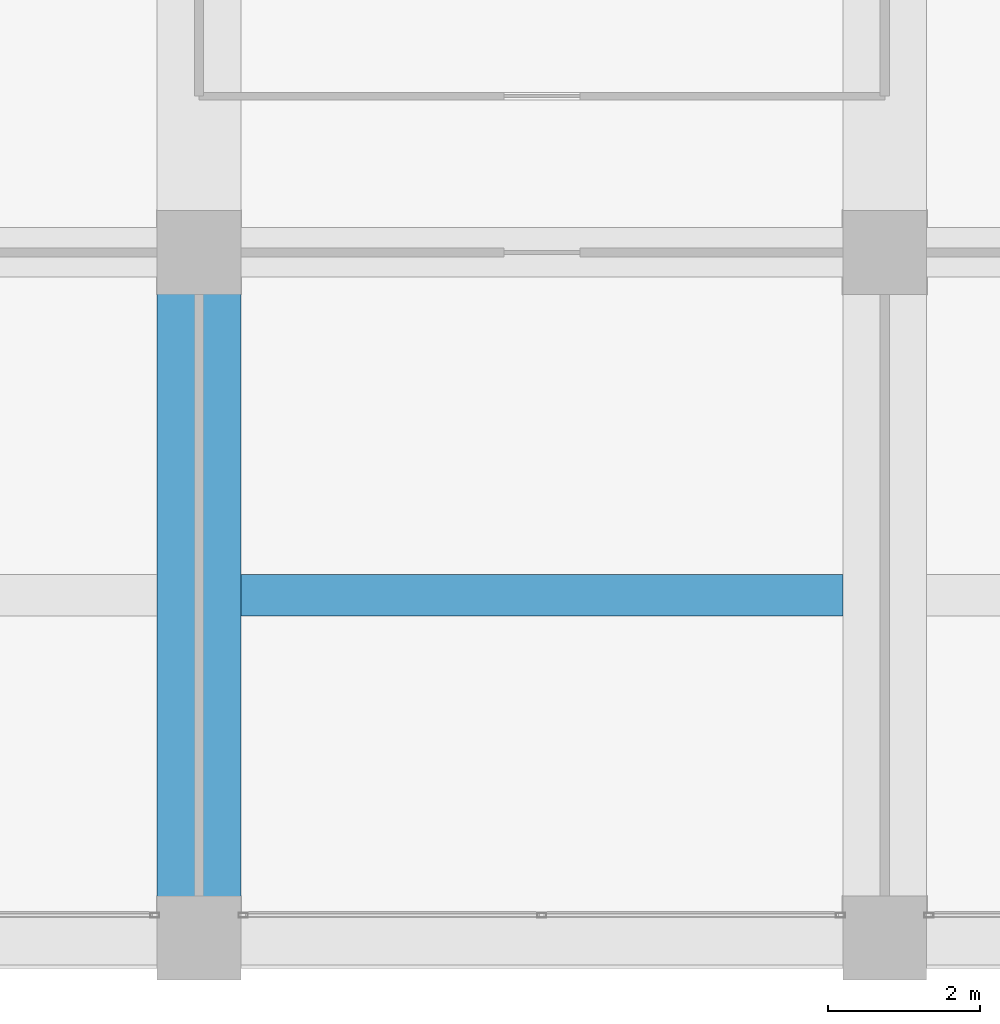
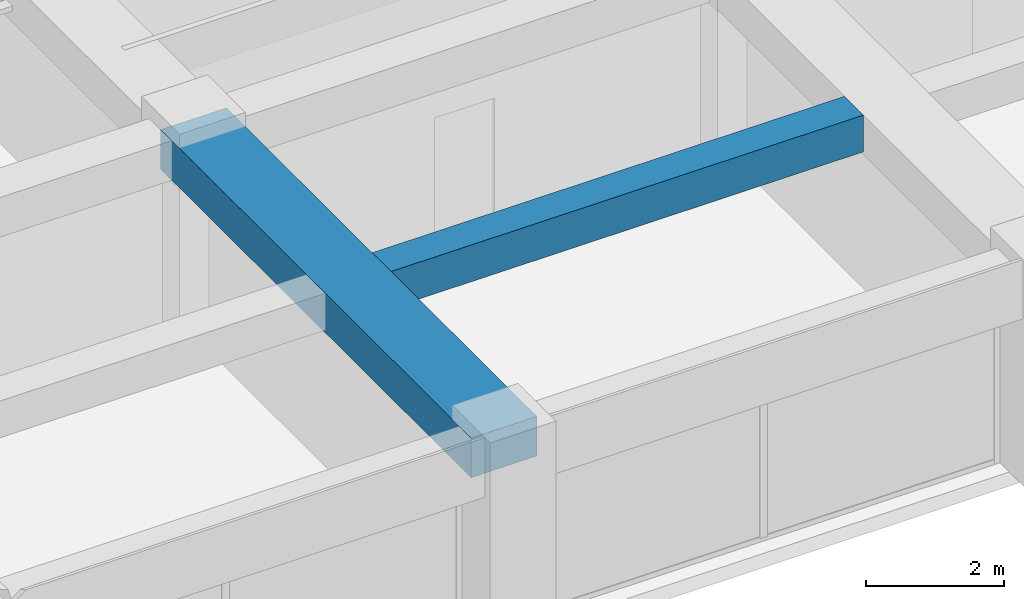
# One storey, part 10 of 45: 2 beams.
"""IFC4 building model written with IfcOpenShell, lengths in metres."""

from ifc_helpers import new_model, si_unit, direction, frame, origin, origin_2d, place, context, subcontext, project, spatial, rectangle, extrude, material, material_profile, profile_set, type_object, element, save


model = new_model("IFC4")

# Units and contexts
model_context = context("Model", 3, precision=1e-05, world=origin(), true_north=direction((0.0, 1.0)))
body_context = subcontext(model_context, "Body", "Model", "MODEL_VIEW")
ifc_project = project(units=[si_unit("LENGTHUNIT", "METRE"), si_unit("AREAUNIT", "SQUARE_METRE"), si_unit("VOLUMEUNIT", "CUBIC_METRE"), si_unit("PLANEANGLEUNIT", "RADIAN"), si_unit("MASSUNIT", "GRAM", prefix="KILO")], contexts=[model_context])

# Site, building, storey
site_placement = place(None, origin())
site = spatial("IfcSite", under=ifc_project, at=site_placement, CompositionType="ELEMENT")
building_placement = place(site_placement, origin())
building = spatial("IfcBuilding", under=site, at=building_placement, Name="Zorevar Civic Tower", CompositionType="ELEMENT")
storey_placement = place(building_placement, frame((0.0, 0.0, 291.39990234375)))
storey = spatial("IfcBuildingStorey", under=building, at=storey_placement, Name="L71", CompositionType="ELEMENT", Elevation=291.39990234375)

# Beams
ifc_material_1 = material(Name="Concrete C50/60", Category="concrete")
ifc_material_profile_1 = material_profile(ifc_material_1, rectangle(XDim=1.10009765625, YDim=0.699951171875, at=origin_2d()), Name="RC 1100x700")
ifc_profile_set_1 = profile_set([ifc_material_profile_1], Name="Concrete C50/60")
beam_type_1 = type_object("IfcBeamType", Name="Beam RC 1100x700", PredefinedType="BEAM", material=ifc_profile_set_1)
beam_1_placement = place(storey_placement, frame((27.0, 0.0, 3.400146484375), z_axis=(0.0, 1.0, 0.0), x_axis=(-1.0, 0.0, 0.0)))
element("IfcBeam", 1, at=beam_1_placement, inside=storey, type_object=beam_type_1, Name="Girder L72", PredefinedType="BEAM", context=body_context, shape_type="SweptSolid", body=[
    extrude(rectangle(XDim=1.10009765625, YDim=0.699951171875, at=origin_2d()), origin(), (0.0, 0.0, 1.0), 9.0),
])
ifc_material_2 = material(Name="Concrete C50/60", Category="concrete")
ifc_material_profile_2 = material_profile(ifc_material_2, rectangle(XDim=0.550048828125, YDim=0.64990234375, at=origin_2d()), Name="RC 550x650")
ifc_profile_set_2 = profile_set([ifc_material_profile_2], Name="Concrete C50/60")
beam_type_2 = type_object("IfcBeamType", Name="Beam RC 550x650", PredefinedType="BEAM", material=ifc_profile_set_2)
beam_2_placement = place(storey_placement, frame((27.550048828125, 4.5, 3.425048828125), z_axis=(1.0, 0.0, 0.0), x_axis=(0.0, 1.0, 0.0)))
element("IfcBeam", 2, at=beam_2_placement, inside=storey, type_object=beam_type_2, Name="Secondary beam L72", PredefinedType="BEAM", context=body_context, shape_type="SweptSolid", body=[
    extrude(rectangle(XDim=0.550048828125, YDim=0.64990234375, at=origin_2d()), origin(), (0.0, 0.0, 1.0), 7.89990234375),
])

save(model, "model.ifc")
